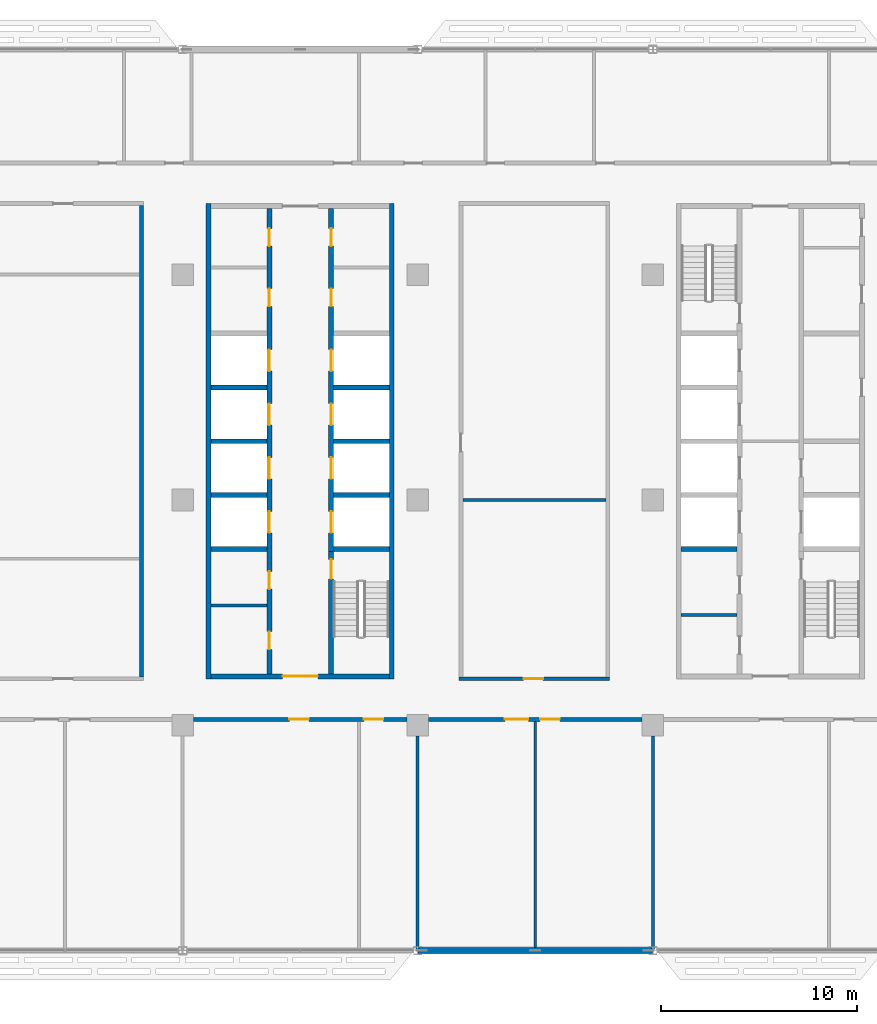
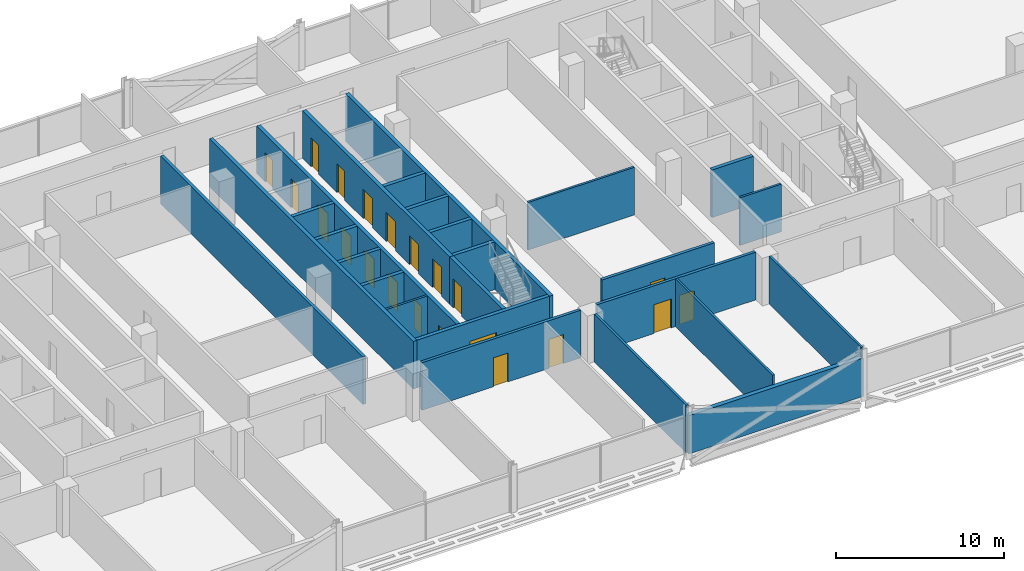
# One storey, part 14 of 29: 26 walls, 21 doors, 21 openings.
"""IFC4 building model written with IfcOpenShell, lengths in metres."""

import ifcopenshell
import ifcopenshell.guid

model = None  # the IFC model being written
_history = None  # IfcOwnerHistory: only IFC2X3 demands one
_inside = {}  # id of a spatial element -> (the spatial element, [elements in it])
_under = {}  # id of a project, library or spatial element -> (it, [spatial elements below it])
_declared = {}  # id of a project -> (the project, [libraries it declares])
_typed = {}  # id of a type object -> (the type object, [elements of that type])
_made_of = {}  # id of a material, layer set ... -> (it, [elements and type objects made of it])


def new_model(schema):
    """Start an empty IFC model of exactly this schema.

    Asked for "IFC4X3", IfcOpenShell would pick the latest addendum, in which some entities
    have other attributes; the version numbers below select the first issue.
    IFC2X3 requires an IfcOwnerHistory on every rooted entity: one is made here for all.
    """
    global model, _history
    if schema == "IFC4X3":
        model = ifcopenshell.file(schema_version=(4, 3, 0, 0))
    else:
        model = ifcopenshell.file(schema=schema)
    _inside.clear()
    _under.clear()
    _declared.clear()
    _typed.clear()
    _made_of.clear()
    _history = None
    if model.schema == "IFC2X3":
        org = make("IfcOrganization", Name="unknown")
        user = make(
            "IfcPersonAndOrganization",
            ThePerson=make("IfcPerson", FamilyName="unknown"),
            TheOrganization=org,
        )
        app = make(
            "IfcApplication",
            ApplicationDeveloper=org,
            Version="unknown",
            ApplicationFullName="unknown",
            ApplicationIdentifier="unknown",
        )
        _history = make(
            "IfcOwnerHistory",
            OwningUser=user,
            OwningApplication=app,
            ChangeAction="ADDED",
            CreationDate=0,
        )
    return model


def make(cls, **values):
    """One entity of the class cls with the attributes given. An attribute that is None is left unset."""
    return model.create_entity(
        cls, **{name: value for name, value in values.items() if value is not None}
    )


def rooted(cls, **values):
    """An entity with a GlobalId (a new one), such as an element, a storey or a relation."""
    return make(cls, GlobalId=ifcopenshell.guid.new(), OwnerHistory=_history, **values)


def si_unit(unit_type, name, prefix=None):
    """IfcSIUnit, for example si_unit("LENGTHUNIT", "METRE", prefix="MILLI")."""
    return make("IfcSIUnit", UnitType=unit_type, Prefix=prefix, Name=name)


def assignment(units):
    """IfcUnitAssignment: the units of a project."""
    return None if units is None else make("IfcUnitAssignment", Units=units)


def point(xyz):
    """IfcCartesianPoint."""
    return None if xyz is None else make("IfcCartesianPoint", Coordinates=xyz)


def direction(xyz):
    """IfcDirection."""
    return None if xyz is None else make("IfcDirection", DirectionRatios=xyz)


def frame(location, z_axis=None, x_axis=None):
    """IfcAxis2Placement3D, a coordinate frame: its origin and axes. An axis left out is left unset."""
    return make(
        "IfcAxis2Placement3D",
        Location=point(location),
        Axis=direction(z_axis),
        RefDirection=direction(x_axis),
    )


def frame_2d(location, x_axis=None):
    """IfcAxis2Placement2D, a coordinate frame in the plane: its origin and x axis."""
    return make(
        "IfcAxis2Placement2D", Location=point(location), RefDirection=direction(x_axis)
    )


def origin():
    """The frame at (0, 0, 0) with its axes left unset."""
    return frame((0.0, 0.0, 0.0))


def place(relative_to, where):
    """IfcLocalPlacement: puts the frame where relative to a parent placement (None: the world)."""
    return make(
        "IfcLocalPlacement", PlacementRelTo=relative_to, RelativePlacement=where
    )


def context(
    kind, dimensions, precision=None, world=None, true_north=None, identifier=None
):
    """IfcGeometricRepresentationContext, for example the 3D "Model" context."""
    return make(
        "IfcGeometricRepresentationContext",
        ContextIdentifier=identifier,
        ContextType=kind,
        CoordinateSpaceDimension=dimensions,
        Precision=precision,
        WorldCoordinateSystem=world,
        TrueNorth=true_north,
    )


def subcontext(parent, identifier, kind, view, scale=None):
    """IfcGeometricRepresentationSubContext, for example "Body" below "Model"."""
    return make(
        "IfcGeometricRepresentationSubContext",
        ContextIdentifier=identifier,
        ContextType=kind,
        ParentContext=parent,
        TargetScale=scale,
        TargetView=view,
    )


def project(units=None, contexts=None):
    """IfcProject with its units and contexts."""
    return rooted(
        "IfcProject",
        Name="project",
        RepresentationContexts=contexts,
        UnitsInContext=assignment(units),
    )


def spatial(cls, under=None, at=None, **own):
    """A site, building, storey or space (cls), placed at a placement, below another one or the project."""
    s = rooted(cls, ObjectPlacement=at, **own)
    if under is not None:
        _under.setdefault(under.id(), (under, []))[1].append(s)
    return s


def profile(cls, at=None, kind="AREA", **sizes):
    """A parametric profile (cls). Its sizes go by their IFC names, for example OverallWidth=200.0."""
    return make(cls, ProfileType=kind, Position=at, **sizes)


def rectangle(**sizes):
    """IfcRectangleProfileDef."""
    return profile("IfcRectangleProfileDef", **sizes)


def extrude(swept, where, along, depth):
    """IfcExtrudedAreaSolid: the profile swept, set in the frame where, extruded along a direction by depth."""
    return make(
        "IfcExtrudedAreaSolid",
        SweptArea=swept,
        Position=where,
        ExtrudedDirection=direction(along),
        Depth=depth,
    )


def shape(context_of_items, identifier, shape_type, items):
    """IfcShapeRepresentation: the items that make up one representation, for example the "Body"."""
    return make(
        "IfcShapeRepresentation",
        ContextOfItems=context_of_items,
        RepresentationIdentifier=identifier,
        RepresentationType=shape_type,
        Items=items,
    )


def material(Name=None, Category=None):
    """IfcMaterial."""
    return make("IfcMaterial", Name=Name, Category=Category)


def layer(
    of_material, thickness, ventilated=None, Name=None, Category=None, Priority=None
):
    """IfcMaterialLayer: one layer of a wall or slab, of a material (None: an air gap)."""
    return make(
        "IfcMaterialLayer",
        Material=of_material,
        LayerThickness=thickness,
        IsVentilated=ventilated,
        Name=Name,
        Category=Category,
        Priority=Priority,
    )


def layer_set(layers, Name=None):
    """IfcMaterialLayerSet."""
    return make("IfcMaterialLayerSet", MaterialLayers=layers, LayerSetName=Name)


def made_of(thing, what):
    """Note that an element or type object is made of a material, layer set ...; save() writes the relation."""
    if what is not None:
        _made_of.setdefault(what.id(), (what, []))[1].append(thing)
    return thing


def type_object(cls, material=None, **own):
    """A type object (cls), such as IfcWallType, which elements share."""
    return made_of(rooted(cls, **own), material)


def element(
    cls,
    number,
    at=None,
    inside=None,
    cuts=None,
    type_object=None,
    material=None,
    context=None,
    identifier="Body",
    shape_type=None,
    held_by="IfcProductDefinitionShape",
    body=None,
    shapes=None,
    **own,
):
    """One element of the class cls, such as IfcWall. Its Tag is "e" and its number.

    at: its placement. inside: the storey or other place that contains it. cuts: it is an
    opening in that element (IfcRelVoidsElement). A single representation is given by context,
    identifier, shape_type and body (its items); several are given by shapes. held_by: the class
    of the entity that holds the representations. save() writes the other relations.
    """
    e = rooted(cls, Tag="e%d" % number, ObjectPlacement=at, **own)
    if body is not None:
        shapes = [shape(context, identifier, shape_type, body)]
    if shapes is not None:
        e.Representation = make(held_by, Representations=shapes)
    if inside is not None:
        _inside.setdefault(inside.id(), (inside, []))[1].append(e)
    if cuts is not None:
        rooted(
            "IfcRelVoidsElement", RelatingBuildingElement=cuts, RelatedOpeningElement=e
        )
    if type_object is not None:
        _typed.setdefault(type_object.id(), (type_object, []))[1].append(e)
    return made_of(e, material)


def fill(opening, filler):
    """IfcRelFillsElement: the door or window that sits in an opening."""
    return rooted(
        "IfcRelFillsElement",
        RelatingOpeningElement=opening,
        RelatedBuildingElement=filler,
    )


def aggregate(whole, parts):
    """IfcRelAggregates: a whole, such as a stair, and the parts it consists of."""
    return rooted("IfcRelAggregates", RelatingObject=whole, RelatedObjects=parts)


def save(model, path):
    """Write the relations noted so far, then the file.

    IfcRelAggregates (storeys below a building ...), IfcRelContainedInSpatialStructure (elements
    in a storey), IfcRelDefinesByType, IfcRelAssociatesMaterial and IfcRelDeclares: one each for
    every whole, place, type object, material and project.
    """
    for whole, parts in _under.values():
        aggregate(whole, parts)
    for where, things in _inside.values():
        rooted(
            "IfcRelContainedInSpatialStructure",
            RelatedElements=things,
            RelatingStructure=where,
        )
    for kind, things in _typed.values():
        rooted("IfcRelDefinesByType", RelatedObjects=things, RelatingType=kind)
    for what, things in _made_of.values():
        rooted("IfcRelAssociatesMaterial", RelatedObjects=things, RelatingMaterial=what)
    for by, libraries in _declared.values():
        rooted("IfcRelDeclares", RelatingContext=by, RelatedDefinitions=libraries)
    model.write(path)


model = new_model("IFC4")

# Units and contexts
model_context = context("Model", 3, precision=1e-05, world=origin(), true_north=direction((0.0, 1.0)))
body_context = subcontext(model_context, "Body", "Model", "MODEL_VIEW")
ifc_project = project(units=[si_unit("LENGTHUNIT", "METRE"), si_unit("AREAUNIT", "SQUARE_METRE"), si_unit("VOLUMEUNIT", "CUBIC_METRE"), si_unit("PLANEANGLEUNIT", "RADIAN"), si_unit("MASSUNIT", "GRAM", prefix="KILO")], contexts=[model_context])

# Site, building, storey
site_placement = place(None, origin())
site = spatial("IfcSite", under=ifc_project, at=site_placement, CompositionType="ELEMENT")
building_placement = place(site_placement, origin())
building = spatial("IfcBuilding", under=site, at=building_placement, Name="Mahtab Terrace Research Tower", CompositionType="ELEMENT")
storey_placement = place(building_placement, frame((0.0, 0.0, 197.699951171875)))
storey = spatial("IfcBuildingStorey", under=building, at=storey_placement, Name="L47", CompositionType="ELEMENT", Elevation=197.699951171875)

# Walls
ifc_material_1 = material(Name="Gypsum board partition")
ifc_layer_1 = layer(ifc_material_1, 0.14990234375)
ifc_layer_set_1 = layer_set([ifc_layer_1], Name="Core partition 150")
wall_type_1 = type_object("IfcWallType", Name="Core partition 150", PredefinedType="PARTITIONING", material=ifc_layer_set_1)
for number, where, z_axis, x_axis, name in (
    (1, (-4.550048828125, -5.39501953125, 0.0), (0.0, 0.0, 1.0), (1.0, 0.0, 0.0), "Core wall B pWS-840"),
    (2, (19.449951171875, -5.875, 0.0), (0.0, 0.0, 1.0), (1.0, 0.0, 0.0), "Core wall C pWS-888"),
):
    element("IfcWall", number, at=place(storey_placement, frame(where, z_axis=z_axis, x_axis=x_axis)), inside=storey, type_object=wall_type_1, Name=name, PredefinedType="PARTITIONING", context=body_context, shape_type="SweptSolid", body=[
        extrude(rectangle(XDim=2.85009765625, YDim=0.14990234375, at=frame_2d((1.425048828125, 0.0))), origin(), (0.0, 0.0, 1.0), 3.4599609375),
    ])
ifc_material_2 = material(Name="Concrete C70/85", Category="concrete")
ifc_layer_2 = layer(ifc_material_2, 0.25)
ifc_layer_set_2 = layer_set([ifc_layer_2], Name="Core wall 250")
wall_type_2 = type_object("IfcWallType", Name="Core wall 250", PredefinedType="SOLIDWALL", material=ifc_layer_set_2)
for number, where, z_axis, x_axis, name in (
    (3, (-4.675048828125, 15.125, 0.0), (0.0, 0.0, 1.0), (0.0, -1.0, 0.0), "Core wall B outerW"),
    (4, (4.675048828125, -9.125, 0.0), (0.0, 0.0, 1.0), (0.0, 1.0, 0.0), "Core wall B outerE"),
):
    element("IfcWall", number, at=place(storey_placement, frame(where, z_axis=z_axis, x_axis=x_axis)), inside=storey, type_object=wall_type_2, Name=name, PredefinedType="SOLIDWALL", context=body_context, shape_type="SweptSolid", body=[
        extrude(rectangle(XDim=24.25, YDim=0.25, at=frame_2d((12.125, 0.0))), origin(), (0.0, 0.0, 1.0), 3.4599609375),
    ])

# Wall, opening, door
wall_1_placement = place(storey_placement, frame((4.550048828125, -9.0, 0.0), z_axis=(0.0, 0.0, 1.0), x_axis=(-1.0, 0.0, 0.0)))
wall_1 = element("IfcWall", 5, at=wall_1_placement, inside=storey, type_object=wall_type_2, Name="Core wall B endS", PredefinedType="SOLIDWALL", context=body_context, shape_type="SweptSolid", body=[
    extrude(rectangle(XDim=9.10009765625, YDim=0.25, at=frame_2d((4.550048828125, 0.0))), origin(), (0.0, 0.0, 1.0), 3.4599609375),
])
opening_1_placement = place(wall_1_placement, frame((3.64990234375, 0.0, 0.0)))
opening_1 = element("IfcOpeningElement", 6, at=opening_1_placement, cuts=wall_1, Name="Opening B-S1", PredefinedType="OPENING", context=body_context, shape_type="SweptSolid", body=[
    extrude(rectangle(XDim=1.800048828125, YDim=2.10009765625, at=frame_2d((0.89990234375, 1.050048828125))), frame((0.0, 0.135009765625, 0.0), z_axis=(0.0, -1.0, 0.0), x_axis=(1.0, 0.0, 0.0)), (0.0, 0.0, 1.0), 0.27001953125),
])
ifc_material_3 = material(Name="Steel fire door", Category="steel")
door_type_1 = type_object("IfcDoorType", Name="Lobby double door 1800x2100 1 HR", OperationType="DOUBLE_DOOR_SINGLE_SWING", PredefinedType="DOOR", material=ifc_material_3)
door_1_placement = place(opening_1_placement, origin())
door_1 = element("IfcDoor", 7, at=door_1_placement, inside=storey, type_object=door_type_1, Name="Core entrance door B S", OperationType="DOUBLE_DOOR_SINGLE_SWING", OverallHeight=2.10009765625, OverallWidth=1.800048828125, PredefinedType="DOOR", context=body_context, shape_type="SweptSolid", body=[
    extrude(rectangle(XDim=1.800048828125, YDim=2.10009765625, at=frame_2d((0.89990234375, 1.050048828125))), frame((0.0, 0.02490234375, 0.0), z_axis=(0.0, -1.0, 0.0), x_axis=(1.0, 0.0, 0.0)), (0.0, 0.0, 1.0), 0.050048828125),
])
fill(opening_1, door_1)

# Wall, openings, doors
wall_2_placement = place(storey_placement, frame((-1.574951171875, -8.875, 0.0), z_axis=(0.0, 0.0, 1.0), x_axis=(0.0, 1.0, 0.0)))
wall_2 = element("IfcWall", 8, at=wall_2_placement, inside=storey, type_object=wall_type_2, Name="Core wall B innerWSLN", PredefinedType="SOLIDWALL", context=body_context, shape_type="SweptSolid", body=[
    extrude(rectangle(XDim=23.75, YDim=0.25, at=frame_2d((11.875, 0.0))), origin(), (0.0, 0.0, 1.0), 3.4599609375),
])
opening_2_placement = place(wall_2_placement, frame((7.199951171875, 0.0, 0.0)))
opening_2 = element("IfcOpeningElement", 9, at=opening_2_placement, cuts=wall_2, Name="Opening LD09-L47", PredefinedType="OPENING", context=body_context, shape_type="SweptSolid", body=[
    extrude(rectangle(XDim=1.10009765625, YDim=2.10009765625, at=frame_2d((0.550048828125, 1.050048828125))), frame((0.0, 0.135009765625, 0.0), z_axis=(0.0, -1.0, 0.0), x_axis=(1.0, 0.0, 0.0)), (0.0, 0.0, 1.0), 0.27001953125),
])
opening_3_placement = place(wall_2_placement, frame((9.949951171875, 0.0, 0.0)))
opening_3 = element("IfcOpeningElement", 10, at=opening_3_placement, cuts=wall_2, Name="Opening LD10-L47", PredefinedType="OPENING", context=body_context, shape_type="SweptSolid", body=[
    extrude(rectangle(XDim=1.10009765625, YDim=2.10009765625, at=frame_2d((0.550048828125, 1.050048828125))), frame((0.0, 0.135009765625, 0.0), z_axis=(0.0, -1.0, 0.0), x_axis=(1.0, 0.0, 0.0)), (0.0, 0.0, 1.0), 0.27001953125),
])
opening_4_placement = place(wall_2_placement, frame((12.699951171875, 0.0, 0.0)))
opening_4 = element("IfcOpeningElement", 11, at=opening_4_placement, cuts=wall_2, Name="Opening LD11-L47", PredefinedType="OPENING", context=body_context, shape_type="SweptSolid", body=[
    extrude(rectangle(XDim=1.10009765625, YDim=2.10009765625, at=frame_2d((0.550048828125, 1.050048828125))), frame((0.0, 0.135009765625, 0.0), z_axis=(0.0, -1.0, 0.0), x_axis=(1.0, 0.0, 0.0)), (0.0, 0.0, 1.0), 0.27001953125),
])
opening_5_placement = place(wall_2_placement, frame((15.449951171875, 0.0, 0.0)))
opening_5 = element("IfcOpeningElement", 12, at=opening_5_placement, cuts=wall_2, Name="Opening LD12-L47", PredefinedType="OPENING", context=body_context, shape_type="SweptSolid", body=[
    extrude(rectangle(XDim=1.10009765625, YDim=2.10009765625, at=frame_2d((0.550048828125, 1.050048828125))), frame((0.0, 0.135009765625, 0.0), z_axis=(0.0, -1.0, 0.0), x_axis=(1.0, 0.0, 0.0)), (0.0, 0.0, 1.0), 0.27001953125),
])
opening_6_placement = place(wall_2_placement, frame((1.25244140625, 0.0, 0.0)))
opening_6 = element("IfcOpeningElement", 13, at=opening_6_placement, cuts=wall_2, Name="Opening B-R1", PredefinedType="OPENING", context=body_context, shape_type="SweptSolid", body=[
    extrude(rectangle(XDim=0.89990234375, YDim=2.10009765625, at=frame_2d((0.449951171875, 1.050048828125))), frame((0.0, 0.135009765625, 0.0), z_axis=(0.0, -1.0, 0.0), x_axis=(1.0, 0.0, 0.0)), (0.0, 0.0, 1.0), 0.27001953125),
])
opening_7_placement = place(wall_2_placement, frame((4.327392578125, 0.0, 0.0)))
opening_7 = element("IfcOpeningElement", 14, at=opening_7_placement, cuts=wall_2, Name="Opening B-R2", PredefinedType="OPENING", context=body_context, shape_type="SweptSolid", body=[
    extrude(rectangle(XDim=0.89990234375, YDim=2.10009765625, at=frame_2d((0.449951171875, 1.050048828125))), frame((0.0, 0.135009765625, 0.0), z_axis=(0.0, -1.0, 0.0), x_axis=(1.0, 0.0, 0.0)), (0.0, 0.0, 1.0), 0.27001953125),
])
opening_8_placement = place(wall_2_placement, frame((18.762451171875, 0.0, 0.0)))
opening_8 = element("IfcOpeningElement", 15, at=opening_8_placement, cuts=wall_2, Name="Opening B-R3", PredefinedType="OPENING", context=body_context, shape_type="SweptSolid", body=[
    extrude(rectangle(XDim=0.89990234375, YDim=2.10009765625, at=frame_2d((0.449951171875, 1.050048828125))), frame((0.0, 0.135009765625, 0.0), z_axis=(0.0, -1.0, 0.0), x_axis=(1.0, 0.0, 0.0)), (0.0, 0.0, 1.0), 0.27001953125),
])
opening_9_placement = place(wall_2_placement, frame((21.83740234375, 0.0, 0.0)))
opening_9 = element("IfcOpeningElement", 16, at=opening_9_placement, cuts=wall_2, Name="Opening B-R4", PredefinedType="OPENING", context=body_context, shape_type="SweptSolid", body=[
    extrude(rectangle(XDim=0.89990234375, YDim=2.10009765625, at=frame_2d((0.449951171875, 1.050048828125))), frame((0.0, 0.135009765625, 0.0), z_axis=(0.0, -1.0, 0.0), x_axis=(1.0, 0.0, 0.0)), (0.0, 0.0, 1.0), 0.27001953125),
])
ifc_material_4 = material(Name="Stainless steel AISI 304", Category="steel")
door_type_2 = type_object("IfcDoorType", Name="Landing door 1100x2100", OperationType="DOUBLE_DOOR_SLIDING", PredefinedType="DOOR", material=ifc_material_4)
door_2_placement = place(opening_2_placement, origin())
door_2 = element("IfcDoor", 17, at=door_2_placement, inside=storey, type_object=door_type_2, Name="Landing door HR1 L47", OperationType="DOUBLE_DOOR_SLIDING", OverallHeight=2.10009765625, OverallWidth=1.10009765625, PredefinedType="DOOR", context=body_context, shape_type="SweptSolid", body=[
    extrude(rectangle(XDim=1.10009765625, YDim=2.10009765625, at=frame_2d((0.550048828125, 1.050048828125))), frame((0.0, 0.02490234375, 0.0), z_axis=(0.0, -1.0, 0.0), x_axis=(1.0, 0.0, 0.0)), (0.0, 0.0, 1.0), 0.050048828125),
])
fill(opening_2, door_2)
door_3_placement = place(opening_3_placement, origin())
door_3 = element("IfcDoor", 18, at=door_3_placement, inside=storey, type_object=door_type_2, Name="Landing door HR2 L47", OperationType="DOUBLE_DOOR_SLIDING", OverallHeight=2.10009765625, OverallWidth=1.10009765625, PredefinedType="DOOR", context=body_context, shape_type="SweptSolid", body=[
    extrude(rectangle(XDim=1.10009765625, YDim=2.10009765625, at=frame_2d((0.550048828125, 1.050048828125))), frame((0.0, 0.02490234375, 0.0), z_axis=(0.0, -1.0, 0.0), x_axis=(1.0, 0.0, 0.0)), (0.0, 0.0, 1.0), 0.050048828125),
])
fill(opening_3, door_3)
door_4_placement = place(opening_4_placement, origin())
door_4 = element("IfcDoor", 19, at=door_4_placement, inside=storey, type_object=door_type_2, Name="Landing door HR3 L47", OperationType="DOUBLE_DOOR_SLIDING", OverallHeight=2.10009765625, OverallWidth=1.10009765625, PredefinedType="DOOR", context=body_context, shape_type="SweptSolid", body=[
    extrude(rectangle(XDim=1.10009765625, YDim=2.10009765625, at=frame_2d((0.550048828125, 1.050048828125))), frame((0.0, 0.02490234375, 0.0), z_axis=(0.0, -1.0, 0.0), x_axis=(1.0, 0.0, 0.0)), (0.0, 0.0, 1.0), 0.050048828125),
])
fill(opening_4, door_4)
door_5_placement = place(opening_5_placement, origin())
door_5 = element("IfcDoor", 20, at=door_5_placement, inside=storey, type_object=door_type_2, Name="Landing door HR4 L47", OperationType="DOUBLE_DOOR_SLIDING", OverallHeight=2.10009765625, OverallWidth=1.10009765625, PredefinedType="DOOR", context=body_context, shape_type="SweptSolid", body=[
    extrude(rectangle(XDim=1.10009765625, YDim=2.10009765625, at=frame_2d((0.550048828125, 1.050048828125))), frame((0.0, 0.02490234375, 0.0), z_axis=(0.0, -1.0, 0.0), x_axis=(1.0, 0.0, 0.0)), (0.0, 0.0, 1.0), 0.050048828125),
])
fill(opening_5, door_5)
door_type_3 = type_object("IfcDoorType", Name="Room door 900x2100 1 HR", OperationType="NOTDEFINED", PredefinedType="DOOR", material=ifc_material_3)
door_6_placement = place(opening_6_placement, origin())
door_6 = element("IfcDoor", 21, at=door_6_placement, inside=storey, type_object=door_type_3, Name="Pantry door", OperationType="SINGLE_SWING_LEFT", OverallHeight=2.10009765625, OverallWidth=0.89990234375, PredefinedType="DOOR", context=body_context, shape_type="SweptSolid", body=[
    extrude(rectangle(XDim=0.89990234375, YDim=2.10009765625, at=frame_2d((0.449951171875, 1.050048828125))), frame((0.0, 0.02490234375, 0.0), z_axis=(0.0, -1.0, 0.0), x_axis=(1.0, 0.0, 0.0)), (0.0, 0.0, 1.0), 0.050048828125),
])
fill(opening_6, door_6)
door_7_placement = place(opening_7_placement, origin())
door_7 = element("IfcDoor", 22, at=door_7_placement, inside=storey, type_object=door_type_3, Name="Linen store door", OperationType="SINGLE_SWING_RIGHT", OverallHeight=2.10009765625, OverallWidth=0.89990234375, PredefinedType="DOOR", context=body_context, shape_type="SweptSolid", body=[
    extrude(rectangle(XDim=0.89990234375, YDim=2.10009765625, at=frame_2d((0.449951171875, 1.050048828125))), frame((0.0, 0.02490234375, 0.0), z_axis=(0.0, -1.0, 0.0), x_axis=(1.0, 0.0, 0.0)), (0.0, 0.0, 1.0), 0.050048828125),
])
fill(opening_7, door_7)
door_8_placement = place(opening_8_placement, origin())
door_8 = element("IfcDoor", 23, at=door_8_placement, inside=storey, type_object=door_type_3, Name="Housekeeping store door", OperationType="SINGLE_SWING_LEFT", OverallHeight=2.10009765625, OverallWidth=0.89990234375, PredefinedType="DOOR", context=body_context, shape_type="SweptSolid", body=[
    extrude(rectangle(XDim=0.89990234375, YDim=2.10009765625, at=frame_2d((0.449951171875, 1.050048828125))), frame((0.0, 0.02490234375, 0.0), z_axis=(0.0, -1.0, 0.0), x_axis=(1.0, 0.0, 0.0)), (0.0, 0.0, 1.0), 0.050048828125),
])
fill(opening_8, door_8)
door_9_placement = place(opening_9_placement, origin())
door_9 = element("IfcDoor", 24, at=door_9_placement, inside=storey, type_object=door_type_3, Name="Electrical riser room door", OperationType="SINGLE_SWING_RIGHT", OverallHeight=2.10009765625, OverallWidth=0.89990234375, PredefinedType="DOOR", context=body_context, shape_type="SweptSolid", body=[
    extrude(rectangle(XDim=0.89990234375, YDim=2.10009765625, at=frame_2d((0.449951171875, 1.050048828125))), frame((0.0, 0.02490234375, 0.0), z_axis=(0.0, -1.0, 0.0), x_axis=(1.0, 0.0, 0.0)), (0.0, 0.0, 1.0), 0.050048828125),
])
fill(opening_9, door_9)

# Wall, opening, door
wall_3_placement = place(storey_placement, frame((1.574951171875, -8.875, 0.0), z_axis=(0.0, 0.0, 1.0), x_axis=(0.0, 1.0, 0.0)))
wall_3 = element("IfcWall", 25, at=wall_3_placement, inside=storey, type_object=wall_type_2, Name="Core wall B innerES", PredefinedType="SOLIDWALL", context=body_context, shape_type="SweptSolid", body=[
    extrude(rectangle(XDim=6.25, YDim=0.25, at=frame_2d((3.125, 0.0))), origin(), (0.0, 0.0, 1.0), 3.4599609375),
])
opening_10_placement = place(wall_3_placement, frame((4.85009765625, 0.0, 0.0)))
opening_10 = element("IfcOpeningElement", 26, at=opening_10_placement, cuts=wall_3, Name="Opening B-ST2", PredefinedType="OPENING", context=body_context, shape_type="SweptSolid", body=[
    extrude(rectangle(XDim=1.0, YDim=2.10009765625, at=frame_2d((0.5, 1.050048828125))), frame((0.0, 0.135009765625, 0.0), z_axis=(0.0, -1.0, 0.0), x_axis=(1.0, 0.0, 0.0)), (0.0, 0.0, 1.0), 0.27001953125),
])
door_type_4 = type_object("IfcDoorType", Name="Stair door 1000x2100 1.5 HR", OperationType="NOTDEFINED", PredefinedType="DOOR", material=ifc_material_3)
door_10_placement = place(opening_10_placement, origin())
door_10 = element("IfcDoor", 27, at=door_10_placement, inside=storey, type_object=door_type_4, Name="Stair door ST2 L47", OperationType="SINGLE_SWING_LEFT", OverallHeight=2.10009765625, OverallWidth=1.0, PredefinedType="DOOR", context=body_context, shape_type="SweptSolid", body=[
    extrude(rectangle(XDim=1.0, YDim=2.10009765625, at=frame_2d((0.5, 1.050048828125))), frame((0.0, 0.02490234375, 0.0), z_axis=(0.0, -1.0, 0.0), x_axis=(1.0, 0.0, 0.0)), (0.0, 0.0, 1.0), 0.050048828125),
])
fill(opening_10, door_10)

# Wall, openings, doors
wall_4_placement = place(storey_placement, frame((1.574951171875, 14.875, 0.0), z_axis=(0.0, 0.0, 1.0), x_axis=(0.0, -1.0, 0.0)))
wall_4 = element("IfcWall", 28, at=wall_4_placement, inside=storey, type_object=wall_type_2, Name="Core wall B innerELN", PredefinedType="SOLIDWALL", context=body_context, shape_type="SweptSolid", body=[
    extrude(rectangle(XDim=17.5, YDim=0.25, at=frame_2d((8.75, 0.0))), origin(), (0.0, 0.0, 1.0), 3.4599609375),
])
opening_11_placement = place(wall_4_placement, frame((15.449951171875, 0.0, 0.0)))
opening_11 = element("IfcOpeningElement", 29, at=opening_11_placement, cuts=wall_4, Name="Opening LD13-L47", PredefinedType="OPENING", context=body_context, shape_type="SweptSolid", body=[
    extrude(rectangle(XDim=1.10009765625, YDim=2.10009765625, at=frame_2d((0.550048828125, 1.050048828125))), frame((0.0, 0.135009765625, 0.0), z_axis=(0.0, -1.0, 0.0), x_axis=(1.0, 0.0, 0.0)), (0.0, 0.0, 1.0), 0.27001953125),
])
opening_12_placement = place(wall_4_placement, frame((12.699951171875, 0.0, 0.0)))
opening_12 = element("IfcOpeningElement", 30, at=opening_12_placement, cuts=wall_4, Name="Opening LD14-L47", PredefinedType="OPENING", context=body_context, shape_type="SweptSolid", body=[
    extrude(rectangle(XDim=1.10009765625, YDim=2.10009765625, at=frame_2d((0.550048828125, 1.050048828125))), frame((0.0, 0.135009765625, 0.0), z_axis=(0.0, -1.0, 0.0), x_axis=(1.0, 0.0, 0.0)), (0.0, 0.0, 1.0), 0.27001953125),
])
opening_13_placement = place(wall_4_placement, frame((9.949951171875, 0.0, 0.0)))
opening_13 = element("IfcOpeningElement", 31, at=opening_13_placement, cuts=wall_4, Name="Opening LD15-L47", PredefinedType="OPENING", context=body_context, shape_type="SweptSolid", body=[
    extrude(rectangle(XDim=1.10009765625, YDim=2.10009765625, at=frame_2d((0.550048828125, 1.050048828125))), frame((0.0, 0.135009765625, 0.0), z_axis=(0.0, -1.0, 0.0), x_axis=(1.0, 0.0, 0.0)), (0.0, 0.0, 1.0), 0.27001953125),
])
opening_14_placement = place(wall_4_placement, frame((7.199951171875, 0.0, 0.0)))
opening_14 = element("IfcOpeningElement", 32, at=opening_14_placement, cuts=wall_4, Name="Opening LD16-L47", PredefinedType="OPENING", context=body_context, shape_type="SweptSolid", body=[
    extrude(rectangle(XDim=1.10009765625, YDim=2.10009765625, at=frame_2d((0.550048828125, 1.050048828125))), frame((0.0, 0.135009765625, 0.0), z_axis=(0.0, -1.0, 0.0), x_axis=(1.0, 0.0, 0.0)), (0.0, 0.0, 1.0), 0.27001953125),
])
opening_15_placement = place(wall_4_placement, frame((4.08740234375, 0.0, 0.0)))
opening_15 = element("IfcOpeningElement", 33, at=opening_15_placement, cuts=wall_4, Name="Opening B-R5", PredefinedType="OPENING", context=body_context, shape_type="SweptSolid", body=[
    extrude(rectangle(XDim=0.89990234375, YDim=2.10009765625, at=frame_2d((0.449951171875, 1.050048828125))), frame((0.0, 0.135009765625, 0.0), z_axis=(0.0, -1.0, 0.0), x_axis=(1.0, 0.0, 0.0)), (0.0, 0.0, 1.0), 0.27001953125),
])
opening_16_placement = place(wall_4_placement, frame((1.012451171875, 0.0, 0.0)))
opening_16 = element("IfcOpeningElement", 34, at=opening_16_placement, cuts=wall_4, Name="Opening B-R6", PredefinedType="OPENING", context=body_context, shape_type="SweptSolid", body=[
    extrude(rectangle(XDim=0.89990234375, YDim=2.10009765625, at=frame_2d((0.449951171875, 1.050048828125))), frame((0.0, 0.135009765625, 0.0), z_axis=(0.0, -1.0, 0.0), x_axis=(1.0, 0.0, 0.0)), (0.0, 0.0, 1.0), 0.27001953125),
])
door_11_placement = place(opening_11_placement, origin())
door_11 = element("IfcDoor", 35, at=door_11_placement, inside=storey, type_object=door_type_2, Name="Landing door HR5 L47", OperationType="DOUBLE_DOOR_SLIDING", OverallHeight=2.10009765625, OverallWidth=1.10009765625, PredefinedType="DOOR", context=body_context, shape_type="SweptSolid", body=[
    extrude(rectangle(XDim=1.10009765625, YDim=2.10009765625, at=frame_2d((0.550048828125, 1.050048828125))), frame((0.0, 0.02490234375, 0.0), z_axis=(0.0, -1.0, 0.0), x_axis=(1.0, 0.0, 0.0)), (0.0, 0.0, 1.0), 0.050048828125),
])
fill(opening_11, door_11)
door_12_placement = place(opening_12_placement, origin())
door_12 = element("IfcDoor", 36, at=door_12_placement, inside=storey, type_object=door_type_2, Name="Landing door HR6 L47", OperationType="DOUBLE_DOOR_SLIDING", OverallHeight=2.10009765625, OverallWidth=1.10009765625, PredefinedType="DOOR", context=body_context, shape_type="SweptSolid", body=[
    extrude(rectangle(XDim=1.10009765625, YDim=2.10009765625, at=frame_2d((0.550048828125, 1.050048828125))), frame((0.0, 0.02490234375, 0.0), z_axis=(0.0, -1.0, 0.0), x_axis=(1.0, 0.0, 0.0)), (0.0, 0.0, 1.0), 0.050048828125),
])
fill(opening_12, door_12)
door_13_placement = place(opening_13_placement, origin())
door_13 = element("IfcDoor", 37, at=door_13_placement, inside=storey, type_object=door_type_2, Name="Landing door HR7 L47", OperationType="DOUBLE_DOOR_SLIDING", OverallHeight=2.10009765625, OverallWidth=1.10009765625, PredefinedType="DOOR", context=body_context, shape_type="SweptSolid", body=[
    extrude(rectangle(XDim=1.10009765625, YDim=2.10009765625, at=frame_2d((0.550048828125, 1.050048828125))), frame((0.0, 0.02490234375, 0.0), z_axis=(0.0, -1.0, 0.0), x_axis=(1.0, 0.0, 0.0)), (0.0, 0.0, 1.0), 0.050048828125),
])
fill(opening_13, door_13)
door_14_placement = place(opening_14_placement, origin())
door_14 = element("IfcDoor", 38, at=door_14_placement, inside=storey, type_object=door_type_2, Name="Landing door HR8 L47", OperationType="DOUBLE_DOOR_SLIDING", OverallHeight=2.10009765625, OverallWidth=1.10009765625, PredefinedType="DOOR", context=body_context, shape_type="SweptSolid", body=[
    extrude(rectangle(XDim=1.10009765625, YDim=2.10009765625, at=frame_2d((0.550048828125, 1.050048828125))), frame((0.0, 0.02490234375, 0.0), z_axis=(0.0, -1.0, 0.0), x_axis=(1.0, 0.0, 0.0)), (0.0, 0.0, 1.0), 0.050048828125),
])
fill(opening_14, door_14)
door_15_placement = place(opening_15_placement, origin())
door_15 = element("IfcDoor", 39, at=door_15_placement, inside=storey, type_object=door_type_3, Name="Staff WC door", OperationType="SINGLE_SWING_LEFT", OverallHeight=2.10009765625, OverallWidth=0.89990234375, PredefinedType="DOOR", context=body_context, shape_type="SweptSolid", body=[
    extrude(rectangle(XDim=0.89990234375, YDim=2.10009765625, at=frame_2d((0.449951171875, 1.050048828125))), frame((0.0, 0.02490234375, 0.0), z_axis=(0.0, -1.0, 0.0), x_axis=(1.0, 0.0, 0.0)), (0.0, 0.0, 1.0), 0.050048828125),
])
fill(opening_15, door_15)
door_16_placement = place(opening_16_placement, origin())
door_16 = element("IfcDoor", 40, at=door_16_placement, inside=storey, type_object=door_type_3, Name="Accessible WC door", OperationType="SINGLE_SWING_RIGHT", OverallHeight=2.10009765625, OverallWidth=0.89990234375, PredefinedType="DOOR", context=body_context, shape_type="SweptSolid", body=[
    extrude(rectangle(XDim=0.89990234375, YDim=2.10009765625, at=frame_2d((0.449951171875, 1.050048828125))), frame((0.0, 0.02490234375, 0.0), z_axis=(0.0, -1.0, 0.0), x_axis=(1.0, 0.0, 0.0)), (0.0, 0.0, 1.0), 0.050048828125),
])
fill(opening_16, door_16)

# Walls
for number, where, z_axis, x_axis, name in (
    (41, (-4.550048828125, -2.5, 0.0), (0.0, 0.0, 1.0), (1.0, 0.0, 0.0), "Core wall B divW0"),
    (42, (-4.550048828125, 0.25, 0.0), (0.0, 0.0, 1.0), (1.0, 0.0, 0.0), "Core wall B divW1"),
    (43, (-4.550048828125, 3.0, 0.0), (0.0, 0.0, 1.0), (1.0, 0.0, 0.0), "Core wall B divW2"),
    (44, (-4.550048828125, 5.75, 0.0), (0.0, 0.0, 1.0), (1.0, 0.0, 0.0), "Core wall B divW3"),
    (45, (1.699951171875, -2.5, 0.0), (0.0, 0.0, 1.0), (1.0, 0.0, 0.0), "Core wall B divE0"),
    (46, (1.699951171875, 0.25, 0.0), (0.0, 0.0, 1.0), (1.0, 0.0, 0.0), "Core wall B divE1"),
    (47, (1.699951171875, 3.0, 0.0), (0.0, 0.0, 1.0), (1.0, 0.0, 0.0), "Core wall B divE2"),
    (48, (1.699951171875, 5.75, 0.0), (0.0, 0.0, 1.0), (1.0, 0.0, 0.0), "Core wall B divE3"),
    (49, (19.449951171875, -2.5, 0.0), (0.0, 0.0, 1.0), (1.0, 0.0, 0.0), "Core wall C divW0"),
):
    element("IfcWall", number, at=place(storey_placement, frame(where, z_axis=z_axis, x_axis=x_axis)), inside=storey, type_object=wall_type_2, Name=name, PredefinedType="SOLIDWALL", context=body_context, shape_type="SweptSolid", body=[
        extrude(rectangle(XDim=2.85009765625, YDim=0.25, at=frame_2d((1.425048828125, 0.0))), origin(), (0.0, 0.0, 1.0), 3.4599609375),
    ])
ifc_material_5 = material(Name="Black aluminium cladding panel", Category="aluminium")
ifc_layer_3 = layer(ifc_material_5, 0.300048828125)
ifc_layer_set_3 = layer_set([ifc_layer_3], Name="Opaque facade wall 300")
wall_type_3 = type_object("IfcWallType", Name="Opaque facade wall 300", PredefinedType="NOTDEFINED", material=ifc_layer_set_3)
wall_5_placement = place(storey_placement, frame((6.012451171875, -23.0, 0.0), z_axis=(0.0, 0.0, 1.0), x_axis=(1.0, 0.0, 0.0)))
element("IfcWall", 50, at=wall_5_placement, inside=storey, type_object=wall_type_3, Name="Opaque facade wall L47 S27", PredefinedType="NOTDEFINED", context=body_context, shape_type="SweptSolid", body=[
    extrude(rectangle(XDim=11.97509765625, YDim=0.300048828125, at=frame_2d((5.987548828125, 0.0))), origin(), (0.0, 0.0, 1.0), 2.78173828125),
])

# Wall, openings, doors
ifc_material_6 = material(Name="Gypsum board corridor wall on steel studs", Category="steel")
ifc_layer_4 = layer(ifc_material_6, 0.199951171875)
ifc_layer_set_4 = layer_set([ifc_layer_4], Name="WALL CORRIDOR 200")
wall_type_4 = type_object("IfcWallType", Name="WALL CORRIDOR 200", PredefinedType="PARTITIONING", material=ifc_layer_set_4)
wall_6_placement = place(storey_placement, frame((-5.449951171875, -11.199951171875, 0.0), z_axis=(0.0, 0.0, 1.0), x_axis=(1.0, 0.0, 0.0)))
wall_6 = element("IfcWall", 51, at=wall_6_placement, inside=storey, type_object=wall_type_4, Name="L47-W004", PredefinedType="PARTITIONING", context=body_context, shape_type="SweptSolid", body=[
    extrude(rectangle(XDim=10.89990234375, YDim=0.199951171875, at=frame_2d((5.449951171875, 0.0))), origin(), (0.0, 0.0, 1.0), 3.4599609375),
])
opening_17_placement = place(wall_6_placement, frame((4.89990234375, 0.0, 0.0)))
opening_17 = element("IfcOpeningElement", 52, at=opening_17_placement, cuts=wall_6, Name="Opening L47-107", PredefinedType="OPENING", context=body_context, shape_type="SweptSolid", body=[
    extrude(rectangle(XDim=1.0, YDim=2.10009765625, at=frame_2d((0.5, 1.050048828125))), frame((0.0, 0.10986328125, 0.0), z_axis=(0.0, -1.0, 0.0), x_axis=(1.0, 0.0, 0.0)), (0.0, 0.0, 1.0), 0.219970703125),
])
opening_18_placement = place(wall_6_placement, frame((8.699951171875, 0.0, 0.0)))
opening_18 = element("IfcOpeningElement", 53, at=opening_18_placement, cuts=wall_6, Name="Opening L47-108", PredefinedType="OPENING", context=body_context, shape_type="SweptSolid", body=[
    extrude(rectangle(XDim=1.0, YDim=2.10009765625, at=frame_2d((0.5, 1.050048828125))), frame((0.0, 0.10986328125, 0.0), z_axis=(0.0, -1.0, 0.0), x_axis=(1.0, 0.0, 0.0)), (0.0, 0.0, 1.0), 0.219970703125),
])
ifc_material_7 = material(Name="Timber door leaf in steel frame", Category="steel")
door_type_5 = type_object("IfcDoorType", Name="DOOR 1000X2100 FD30S", OperationType="SINGLE_SWING_LEFT", PredefinedType="DOOR", material=ifc_material_7)
door_17_placement = place(opening_17_placement, origin())
door_17 = element("IfcDoor", 54, at=door_17_placement, inside=storey, type_object=door_type_5, Name="Door L47-107", OperationType="SINGLE_SWING_RIGHT", OverallHeight=2.10009765625, OverallWidth=1.0, PredefinedType="DOOR", context=body_context, shape_type="SweptSolid", body=[
    extrude(rectangle(XDim=1.0, YDim=2.10009765625, at=frame_2d((0.5, 1.050048828125))), frame((0.0, 0.02490234375, 0.0), z_axis=(0.0, -1.0, 0.0), x_axis=(1.0, 0.0, 0.0)), (0.0, 0.0, 1.0), 0.050048828125),
])
fill(opening_17, door_17)
door_18_placement = place(opening_18_placement, origin())
door_18 = element("IfcDoor", 55, at=door_18_placement, inside=storey, type_object=door_type_5, Name="Door L47-108", OperationType="SINGLE_SWING_LEFT", OverallHeight=2.10009765625, OverallWidth=1.0, PredefinedType="DOOR", context=body_context, shape_type="SweptSolid", body=[
    extrude(rectangle(XDim=1.0, YDim=2.10009765625, at=frame_2d((0.5, 1.050048828125))), frame((0.0, 0.02490234375, 0.0), z_axis=(0.0, -1.0, 0.0), x_axis=(1.0, 0.0, 0.0)), (0.0, 0.0, 1.0), 0.050048828125),
])
fill(opening_18, door_18)

wall_7_placement = place(storey_placement, frame((6.550048828125, -11.199951171875, 0.0), z_axis=(0.0, 0.0, 1.0), x_axis=(1.0, 0.0, 0.0)))
wall_7 = element("IfcWall", 56, at=wall_7_placement, inside=storey, type_object=wall_type_4, Name="L47-W005", PredefinedType="PARTITIONING", context=body_context, shape_type="SweptSolid", body=[
    extrude(rectangle(XDim=10.89990234375, YDim=0.199951171875, at=frame_2d((5.449951171875, 0.0))), origin(), (0.0, 0.0, 1.0), 3.4599609375),
])
opening_19_placement = place(wall_7_placement, frame((3.89990234375, 0.0, 0.0)))
opening_19 = element("IfcOpeningElement", 57, at=opening_19_placement, cuts=wall_7, Name="Opening L47-109", PredefinedType="OPENING", context=body_context, shape_type="SweptSolid", body=[
    extrude(rectangle(XDim=1.199951171875, YDim=2.10009765625, at=frame_2d((0.60009765625, 1.050048828125))), frame((0.0, 0.10986328125, 0.0), z_axis=(0.0, -1.0, 0.0), x_axis=(1.0, 0.0, 0.0)), (0.0, 0.0, 1.0), 0.219970703125),
])
opening_20_placement = place(wall_7_placement, frame((5.699951171875, 0.0, 0.0)))
opening_20 = element("IfcOpeningElement", 58, at=opening_20_placement, cuts=wall_7, Name="Opening L47-110", PredefinedType="OPENING", context=body_context, shape_type="SweptSolid", body=[
    extrude(rectangle(XDim=1.0, YDim=2.10009765625, at=frame_2d((0.5, 1.050048828125))), frame((0.0, 0.10986328125, 0.0), z_axis=(0.0, -1.0, 0.0), x_axis=(1.0, 0.0, 0.0)), (0.0, 0.0, 1.0), 0.219970703125),
])
door_19_placement = place(opening_20_placement, origin())
door_19 = element("IfcDoor", 59, at=door_19_placement, inside=storey, type_object=door_type_5, Name="Door L47-110", OperationType="SINGLE_SWING_LEFT", OverallHeight=2.10009765625, OverallWidth=1.0, PredefinedType="DOOR", context=body_context, shape_type="SweptSolid", body=[
    extrude(rectangle(XDim=1.0, YDim=2.10009765625, at=frame_2d((0.5, 1.050048828125))), frame((0.0, 0.02490234375, 0.0), z_axis=(0.0, -1.0, 0.0), x_axis=(1.0, 0.0, 0.0)), (0.0, 0.0, 1.0), 0.050048828125),
])
fill(opening_20, door_19)
door_type_6 = type_object("IfcDoorType", Name="DOOR 1200X2100 FD30S", OperationType="SINGLE_SWING_LEFT", PredefinedType="DOOR", material=ifc_material_7)
door_20_placement = place(opening_19_placement, origin())
door_20 = element("IfcDoor", 60, at=door_20_placement, inside=storey, type_object=door_type_6, Name="Door L47-109", OperationType="SINGLE_SWING_RIGHT", OverallHeight=2.10009765625, OverallWidth=1.199951171875, PredefinedType="DOOR", context=body_context, shape_type="SweptSolid", body=[
    extrude(rectangle(XDim=1.199951171875, YDim=2.10009765625, at=frame_2d((0.60009765625, 1.050048828125))), frame((0.0, 0.02490234375, 0.0), z_axis=(0.0, -1.0, 0.0), x_axis=(1.0, 0.0, 0.0)), (0.0, 0.0, 1.0), 0.050048828125),
])
fill(opening_19, door_20)

# Wall, opening, door
wall_8_placement = place(storey_placement, frame((8.10009765625, -9.125, 0.0), z_axis=(0.0, 0.0, 1.0), x_axis=(1.0, 0.0, 0.0)))
wall_8 = element("IfcWall", 61, at=wall_8_placement, inside=storey, type_object=wall_type_4, Name="L47-W011", PredefinedType="PARTITIONING", context=body_context, shape_type="SweptSolid", body=[
    extrude(rectangle(XDim=7.699951171875, YDim=0.199951171875, at=frame_2d((3.85009765625, 0.0))), origin(), (0.0, 0.0, 1.0), 3.4599609375),
])
opening_21_placement = place(wall_8_placement, frame((3.300048828125, 0.0, 0.0)))
opening_21 = element("IfcOpeningElement", 62, at=opening_21_placement, cuts=wall_8, Name="Opening L47-119", PredefinedType="OPENING", context=body_context, shape_type="SweptSolid", body=[
    extrude(rectangle(XDim=1.0, YDim=2.10009765625, at=frame_2d((0.5, 1.050048828125))), frame((0.0, 0.10986328125, 0.0), z_axis=(0.0, -1.0, 0.0), x_axis=(1.0, 0.0, 0.0)), (0.0, 0.0, 1.0), 0.219970703125),
])
door_21_placement = place(opening_21_placement, origin())
door_21 = element("IfcDoor", 63, at=door_21_placement, inside=storey, type_object=door_type_5, Name="Door L47-119", OperationType="SINGLE_SWING_LEFT", OverallHeight=2.10009765625, OverallWidth=1.0, PredefinedType="DOOR", context=body_context, shape_type="SweptSolid", body=[
    extrude(rectangle(XDim=1.0, YDim=2.10009765625, at=frame_2d((0.5, 1.050048828125))), frame((0.0, 0.02490234375, 0.0), z_axis=(0.0, -1.0, 0.0), x_axis=(1.0, 0.0, 0.0)), (0.0, 0.0, 1.0), 0.050048828125),
])
fill(opening_21, door_21)

# Walls
wall_9_placement = place(storey_placement, frame((-8.10009765625, -9.02490234375, 0.0), z_axis=(0.0, 0.0, 1.0), x_axis=(0.0, 1.0, 0.0)))
element("IfcWall", 64, at=wall_9_placement, inside=storey, type_object=wall_type_4, Name="L47-W036", PredefinedType="PARTITIONING", context=body_context, shape_type="SweptSolid", body=[
    extrude(rectangle(XDim=24.0498046875, YDim=0.199951171875, at=frame_2d((12.02490234375, 0.0))), origin(), (0.0, 0.0, 1.0), 3.4599609375),
])
ifc_material_8 = material(Name="Gypsum board partition on steel studs", Category="steel")
ifc_layer_5 = layer(ifc_material_8, 0.14990234375)
ifc_layer_set_5 = layer_set([ifc_layer_5], Name="WALL PARTITION 150")
wall_type_5 = type_object("IfcWallType", Name="WALL PARTITION 150", PredefinedType="PARTITIONING", material=ifc_layer_set_5)
wall_10_placement = place(storey_placement, frame((8.300048828125, 0.0, 0.0), z_axis=(0.0, 0.0, 1.0), x_axis=(1.0, 0.0, 0.0)))
element("IfcWall", 65, at=wall_10_placement, inside=storey, type_object=wall_type_5, Name="L47-W016", PredefinedType="PARTITIONING", context=body_context, shape_type="SweptSolid", body=[
    extrude(rectangle(XDim=7.300048828125, YDim=0.14990234375, at=frame_2d((3.64990234375, 0.0))), origin(), (0.0, 0.0, 1.0), 3.4599609375),
])
wall_11_placement = place(storey_placement, frame((6.0, -22.97509765625, 0.0), z_axis=(0.0, 0.0, 1.0), x_axis=(0.0, 1.0, 0.0)))
element("IfcWall", 66, at=wall_11_placement, inside=storey, type_object=wall_type_5, Name="L47-W041", PredefinedType="PARTITIONING", context=body_context, shape_type="SweptSolid", body=[
    extrude(rectangle(XDim=10.925048828125, YDim=0.14990234375, at=frame_2d((5.46240234375, 0.0))), origin(), (0.0, 0.0, 1.0), 3.4599609375),
])
wall_12_placement = place(storey_placement, frame((12.0, -22.85009765625, 0.0), z_axis=(0.0, 0.0, 1.0), x_axis=(0.0, 1.0, 0.0)))
element("IfcWall", 67, at=wall_12_placement, inside=storey, type_object=wall_type_5, Name="L47-W044", PredefinedType="PARTITIONING", context=body_context, shape_type="SweptSolid", body=[
    extrude(rectangle(XDim=11.550048828125, YDim=0.14990234375, at=frame_2d((5.77490234375, 0.0))), origin(), (0.0, 0.0, 1.0), 3.4599609375),
])
wall_13_placement = place(storey_placement, frame((18.0, -22.97509765625, 0.0), z_axis=(0.0, 0.0, 1.0), x_axis=(0.0, 1.0, 0.0)))
element("IfcWall", 68, at=wall_13_placement, inside=storey, type_object=wall_type_5, Name="L47-W047", PredefinedType="PARTITIONING", context=body_context, shape_type="SweptSolid", body=[
    extrude(rectangle(XDim=10.925048828125, YDim=0.14990234375, at=frame_2d((5.46240234375, 0.0))), origin(), (0.0, 0.0, 1.0), 3.4599609375),
])

save(model, "model.ifc")
